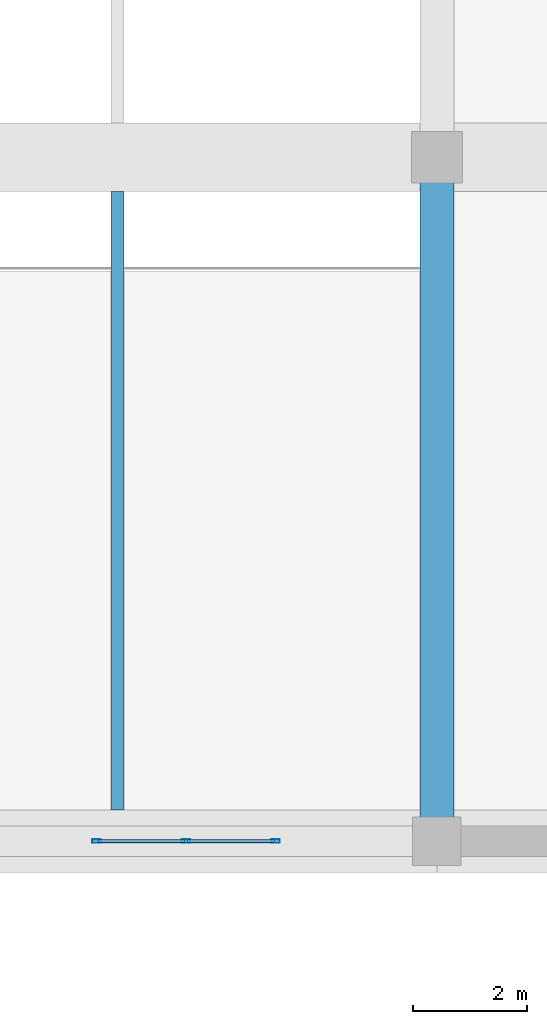
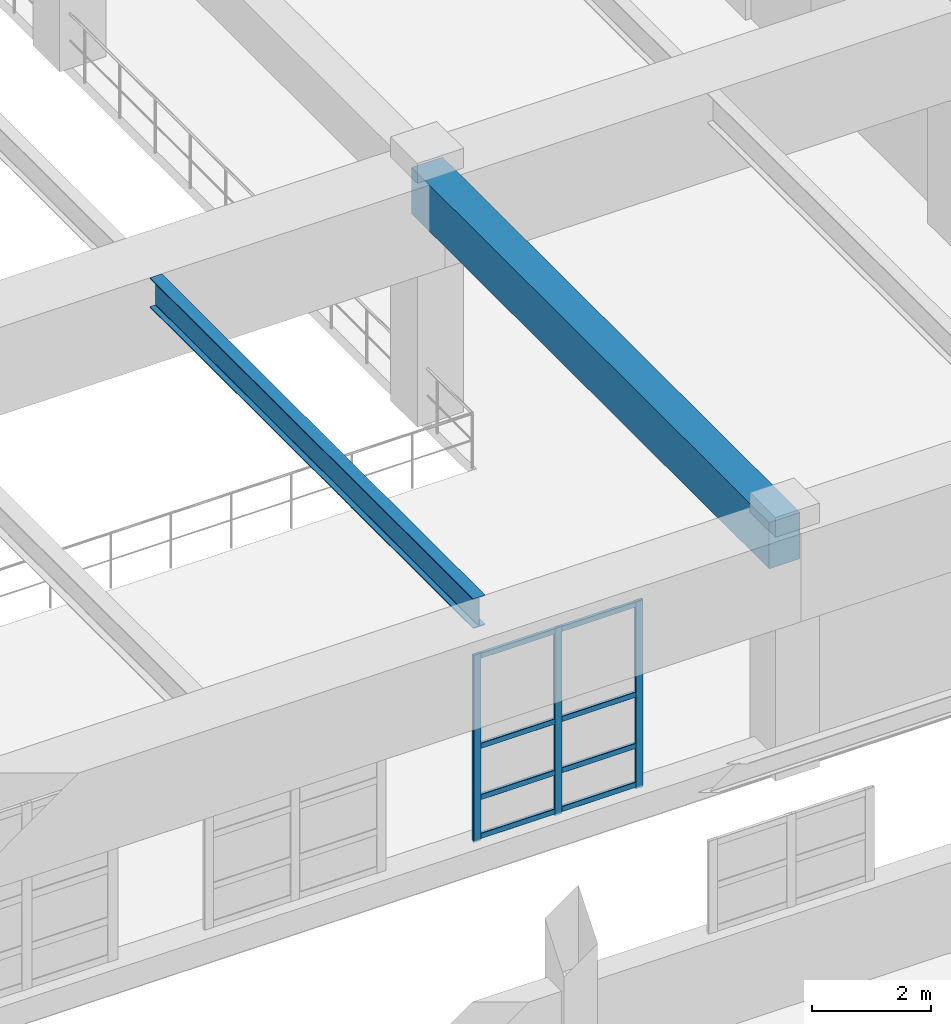
# One storey, part 37 of 197: 11 members, 2 beams, 1 element without a shape of its own.
"""IFC4 building model written with IfcOpenShell, lengths in metres."""

from ifc_helpers import new_model, si_unit, derived_unit, direction, frame, origin, origin_2d, place, context, subcontext, project, spatial, rectangle, hollow_rectangle, i_section, extrude, material, layer, layer_set, material_profile, profile_set, type_object, element, aggregate, save


model = new_model("IFC4")

# Units and contexts
model_context = context("Model", 3, precision=1e-05, world=origin(), true_north=direction((0.0, 1.0)))
body_context = subcontext(model_context, "Body", "Model", "MODEL_VIEW")
ifc_project = project(units=[si_unit("LENGTHUNIT", "METRE"), si_unit("AREAUNIT", "SQUARE_METRE"), si_unit("VOLUMEUNIT", "CUBIC_METRE"), si_unit("PLANEANGLEUNIT", "RADIAN"), si_unit("MASSUNIT", "GRAM", prefix="KILO"), derived_unit("THERMALTRANSMITTANCEUNIT", [(si_unit("POWERUNIT", "WATT"), 1), (si_unit("LENGTHUNIT", "METRE"), -2), (si_unit("THERMODYNAMICTEMPERATUREUNIT", "KELVIN"), -1)])], contexts=[model_context])

# Site, building, storey
site_placement = place(None, origin())
site = spatial("IfcSite", under=ifc_project, at=site_placement, CompositionType="ELEMENT")
building_placement = place(site_placement, origin())
building = spatial("IfcBuilding", under=site, at=building_placement, Name="Almenara Railside Exhibition Hall", CompositionType="ELEMENT")
storey_placement = place(building_placement, frame((0.0, 0.0, 5.39990234375)))
storey = spatial("IfcBuildingStorey", under=building, at=storey_placement, Name="L01", CompositionType="ELEMENT", Elevation=5.39990234375)

# Curtain wall, members
ifc_material_1 = material(Name="Bronze-anodised aluminium and low-E double glazing", Category="aluminium")
ifc_layer = layer(ifc_material_1, 0.179931640625, Name="Bronze-anodised aluminium and low-E double glazing")
ifc_layer_set = layer_set([ifc_layer], Name="Bronze-anodised aluminium and low-E double glazing")
curtain_wall_type = type_object("IfcCurtainWallType", Name="Scroll Gable Side Curtain Wall 3200x3800", PredefinedType="NOTDEFINED", material=ifc_layer_set)
curtain_wall_placement = place(storey_placement, origin())
curtain_wall = element("IfcCurtainWall", 1, at=curtain_wall_placement, inside=storey, type_object=curtain_wall_type, Name="Curtain wall CW-G4-030", PredefinedType="NOTDEFINED")
ifc_material_2 = material(Name="Bronze-anodised aluminium", Category="aluminium")
ifc_material_profile_1 = material_profile(ifc_material_2, hollow_rectangle(XDim=0.06005859375, YDim=0.14990234375, WallThickness=0.00341796875, InnerFilletRadius=0.00341796875, OuterFilletRadius=0.007080078125, at=origin_2d()), Name="ALU-MUL 60x150x3.5")
ifc_profile_set_1 = profile_set([ifc_material_profile_1], Name="Bronze-anodised aluminium")
member_type_1 = type_object("IfcMemberType", Name="Curtain Wall Mullion 60x150x3.5", PredefinedType="MULLION", material=ifc_profile_set_1)
member_1_placement = place(storey_placement, frame((49.6298828125, 48.0, 0.465087890625), z_axis=(0.0, 0.0, 1.0), x_axis=(0.0, 1.0, 0.0)))
member_1 = element("IfcMember", 2, at=member_1_placement, type_object=member_type_1, Name="CW-G4-030 mullion 1", PredefinedType="MULLION", context=body_context, shape_type="SweptSolid", body=[
    extrude(hollow_rectangle(XDim=0.06005859375, YDim=0.14990234375, WallThickness=0.00341796875, InnerFilletRadius=0.00341796875, OuterFilletRadius=0.007080078125, at=origin_2d()), origin(), (0.0, 0.0, 1.0), 3.8349609375),
])
member_2_placement = place(storey_placement, frame((51.199951171875, 48.0, 0.465087890625), z_axis=(0.0, 0.0, 1.0), x_axis=(0.0, 1.0, 0.0)))
member_2 = element("IfcMember", 3, at=member_2_placement, type_object=member_type_1, Name="CW-G4-030 mullion 2", PredefinedType="MULLION", context=body_context, shape_type="SweptSolid", body=[
    extrude(hollow_rectangle(XDim=0.06005859375, YDim=0.14990234375, WallThickness=0.00341796875, InnerFilletRadius=0.00341796875, OuterFilletRadius=0.007080078125, at=origin_2d()), origin(), (0.0, 0.0, 1.0), 3.8349609375),
])
member_3_placement = place(storey_placement, frame((52.77001953125, 48.0, 0.465087890625), z_axis=(0.0, 0.0, 1.0), x_axis=(0.0, 1.0, 0.0)))
member_3 = element("IfcMember", 4, at=member_3_placement, type_object=member_type_1, Name="CW-G4-030 mullion 3", PredefinedType="MULLION", context=body_context, shape_type="SweptSolid", body=[
    extrude(hollow_rectangle(XDim=0.06005859375, YDim=0.14990234375, WallThickness=0.00341796875, InnerFilletRadius=0.00341796875, OuterFilletRadius=0.007080078125, at=origin_2d()), origin(), (0.0, 0.0, 1.0), 3.8349609375),
])
ifc_material_profile_2 = material_profile(ifc_material_2, hollow_rectangle(XDim=0.06005859375, YDim=0.110107421875, WallThickness=0.0029296875, InnerFilletRadius=0.0029296875, OuterFilletRadius=0.006103515625, at=origin_2d()), Name="ALU-TRN 60x110x3")
ifc_profile_set_2 = profile_set([ifc_material_profile_2], Name="Bronze-anodised aluminium")
member_type_2 = type_object("IfcMemberType", Name="Curtain Wall Transom 60x110x3", PredefinedType="USERDEFINED", material=ifc_profile_set_2)
member_4_placement = place(storey_placement, frame((49.652099609375, 48.0, 0.55517578125), z_axis=(1.0, 0.0, 0.0), x_axis=(0.0, 1.0, 0.0)))
member_4 = element("IfcMember", 5, at=member_4_placement, type_object=member_type_2, Name="CW-G4-030 transom 1.1", ObjectType="TRANSOM", PredefinedType="USERDEFINED", context=body_context, shape_type="SweptSolid", body=[
    extrude(hollow_rectangle(XDim=0.06005859375, YDim=0.110107421875, WallThickness=0.0029296875, InnerFilletRadius=0.0029296875, OuterFilletRadius=0.006103515625, at=origin_2d()), origin(), (0.0, 0.0, 1.0), 1.52587890625),
])
member_5_placement = place(storey_placement, frame((49.652099609375, 48.0, 1.35009765625), z_axis=(1.0, 0.0, 0.0), x_axis=(0.0, 1.0, 0.0)))
member_5 = element("IfcMember", 6, at=member_5_placement, type_object=member_type_2, Name="CW-G4-030 transom 1.2", ObjectType="TRANSOM", PredefinedType="USERDEFINED", context=body_context, shape_type="SweptSolid", body=[
    extrude(hollow_rectangle(XDim=0.06005859375, YDim=0.110107421875, WallThickness=0.0029296875, InnerFilletRadius=0.0029296875, OuterFilletRadius=0.006103515625, at=origin_2d()), origin(), (0.0, 0.0, 1.0), 1.52587890625),
])
member_6_placement = place(storey_placement, frame((49.652099609375, 48.0, 2.400146484375), z_axis=(1.0, 0.0, 0.0), x_axis=(0.0, 1.0, 0.0)))
member_6 = element("IfcMember", 7, at=member_6_placement, type_object=member_type_2, Name="CW-G4-030 transom 1.3", ObjectType="TRANSOM", PredefinedType="USERDEFINED", context=body_context, shape_type="SweptSolid", body=[
    extrude(hollow_rectangle(XDim=0.06005859375, YDim=0.110107421875, WallThickness=0.0029296875, InnerFilletRadius=0.0029296875, OuterFilletRadius=0.006103515625, at=origin_2d()), origin(), (0.0, 0.0, 1.0), 1.52587890625),
])
member_7_placement = place(storey_placement, frame((49.652099609375, 48.0, 4.2451171875), z_axis=(1.0, 0.0, 0.0), x_axis=(0.0, 1.0, 0.0)))
member_7 = element("IfcMember", 8, at=member_7_placement, type_object=member_type_2, Name="CW-G4-030 transom 1.4", ObjectType="TRANSOM", PredefinedType="USERDEFINED", context=body_context, shape_type="SweptSolid", body=[
    extrude(hollow_rectangle(XDim=0.06005859375, YDim=0.110107421875, WallThickness=0.0029296875, InnerFilletRadius=0.0029296875, OuterFilletRadius=0.006103515625, at=origin_2d()), origin(), (0.0, 0.0, 1.0), 1.52587890625),
])
member_8_placement = place(storey_placement, frame((51.221923828125, 48.0, 0.55517578125), z_axis=(1.0, 0.0, 0.0), x_axis=(0.0, 1.0, 0.0)))
member_8 = element("IfcMember", 9, at=member_8_placement, type_object=member_type_2, Name="CW-G4-030 transom 2.1", ObjectType="TRANSOM", PredefinedType="USERDEFINED", context=body_context, shape_type="SweptSolid", body=[
    extrude(hollow_rectangle(XDim=0.06005859375, YDim=0.110107421875, WallThickness=0.0029296875, InnerFilletRadius=0.0029296875, OuterFilletRadius=0.006103515625, at=origin_2d()), origin(), (0.0, 0.0, 1.0), 1.526123046875),
])
member_9_placement = place(storey_placement, frame((51.221923828125, 48.0, 1.35009765625), z_axis=(1.0, 0.0, 0.0), x_axis=(0.0, 1.0, 0.0)))
member_9 = element("IfcMember", 10, at=member_9_placement, type_object=member_type_2, Name="CW-G4-030 transom 2.2", ObjectType="TRANSOM", PredefinedType="USERDEFINED", context=body_context, shape_type="SweptSolid", body=[
    extrude(hollow_rectangle(XDim=0.06005859375, YDim=0.110107421875, WallThickness=0.0029296875, InnerFilletRadius=0.0029296875, OuterFilletRadius=0.006103515625, at=origin_2d()), origin(), (0.0, 0.0, 1.0), 1.526123046875),
])
member_10_placement = place(storey_placement, frame((51.221923828125, 48.0, 2.400146484375), z_axis=(1.0, 0.0, 0.0), x_axis=(0.0, 1.0, 0.0)))
member_10 = element("IfcMember", 11, at=member_10_placement, type_object=member_type_2, Name="CW-G4-030 transom 2.3", ObjectType="TRANSOM", PredefinedType="USERDEFINED", context=body_context, shape_type="SweptSolid", body=[
    extrude(hollow_rectangle(XDim=0.06005859375, YDim=0.110107421875, WallThickness=0.0029296875, InnerFilletRadius=0.0029296875, OuterFilletRadius=0.006103515625, at=origin_2d()), origin(), (0.0, 0.0, 1.0), 1.526123046875),
])
member_11_placement = place(storey_placement, frame((51.221923828125, 48.0, 4.2451171875), z_axis=(1.0, 0.0, 0.0), x_axis=(0.0, 1.0, 0.0)))
member_11 = element("IfcMember", 12, at=member_11_placement, type_object=member_type_2, Name="CW-G4-030 transom 2.4", ObjectType="TRANSOM", PredefinedType="USERDEFINED", context=body_context, shape_type="SweptSolid", body=[
    extrude(hollow_rectangle(XDim=0.06005859375, YDim=0.110107421875, WallThickness=0.0029296875, InnerFilletRadius=0.0029296875, OuterFilletRadius=0.006103515625, at=origin_2d()), origin(), (0.0, 0.0, 1.0), 1.526123046875),
])
aggregate(curtain_wall, [member_1, member_2, member_3, member_4, member_5, member_6, member_7, member_8, member_9, member_10, member_11])

# Beams
ifc_material_3 = material(Name="Concrete C40/50", Category="concrete")
ifc_material_profile_3 = material_profile(ifc_material_3, rectangle(XDim=0.60009765625, YDim=0.949951171875, at=origin_2d()), Name="RC 600x950")
ifc_profile_set_3 = profile_set([ifc_material_profile_3], Name="Concrete C40/50")
beam_type_1 = type_object("IfcBeamType", Name="RC Hall Edge Beam 600x950 C40/50", PredefinedType="BEAM", material=ifc_profile_set_3)
beam_1_placement = place(storey_placement, frame((55.60009765625, 48.0, 4.52099609375), z_axis=(0.0, 1.0, 0.0), x_axis=(-1.0, 0.0, 0.0)))
element("IfcBeam", 13, at=beam_1_placement, inside=storey, type_object=beam_type_1, Name="Beam 0590", PredefinedType="BEAM", context=body_context, shape_type="SweptSolid", body=[
    extrude(rectangle(XDim=0.60009765625, YDim=0.949951171875, at=origin_2d()), origin(), (0.0, 0.0, 1.0), 12.0),
])
ifc_material_4 = material(Name="Structural steel S355JR", Category="steel")
ifc_material_profile_4 = material_profile(ifc_material_4, i_section(OverallWidth=0.22900390625, OverallDepth=0.6123046875, WebThickness=0.011962890625, FlangeThickness=0.01953125, FilletRadius=0.0126953125, at=origin_2d()), Name="UB 610x229x125")
ifc_profile_set_4 = profile_set([ifc_material_profile_4], Name="Structural steel S355JR")
beam_type_2 = type_object("IfcBeamType", Name="Steel Gallery Girder UB 610x229x125 S355JR", PredefinedType="USERDEFINED", material=ifc_profile_set_4)
beam_2_placement = place(storey_placement, frame((50.0, 48.550048828125, 4.68994140625), z_axis=(0.0, 1.0, 0.0), x_axis=(-1.0, 0.0, 0.0)))
element("IfcBeam", 14, at=beam_2_placement, inside=storey, type_object=beam_type_2, Name="Beam 0589", ObjectType="GIRDER", PredefinedType="USERDEFINED", context=body_context, shape_type="SweptSolid", body=[
    extrude(i_section(OverallWidth=0.22900390625, OverallDepth=0.6123046875, WebThickness=0.011962890625, FlangeThickness=0.01953125, FilletRadius=0.0126953125, at=origin_2d()), origin(), (0.0, 0.0, 1.0), 10.849853515625),
])

save(model, "model.ifc")
